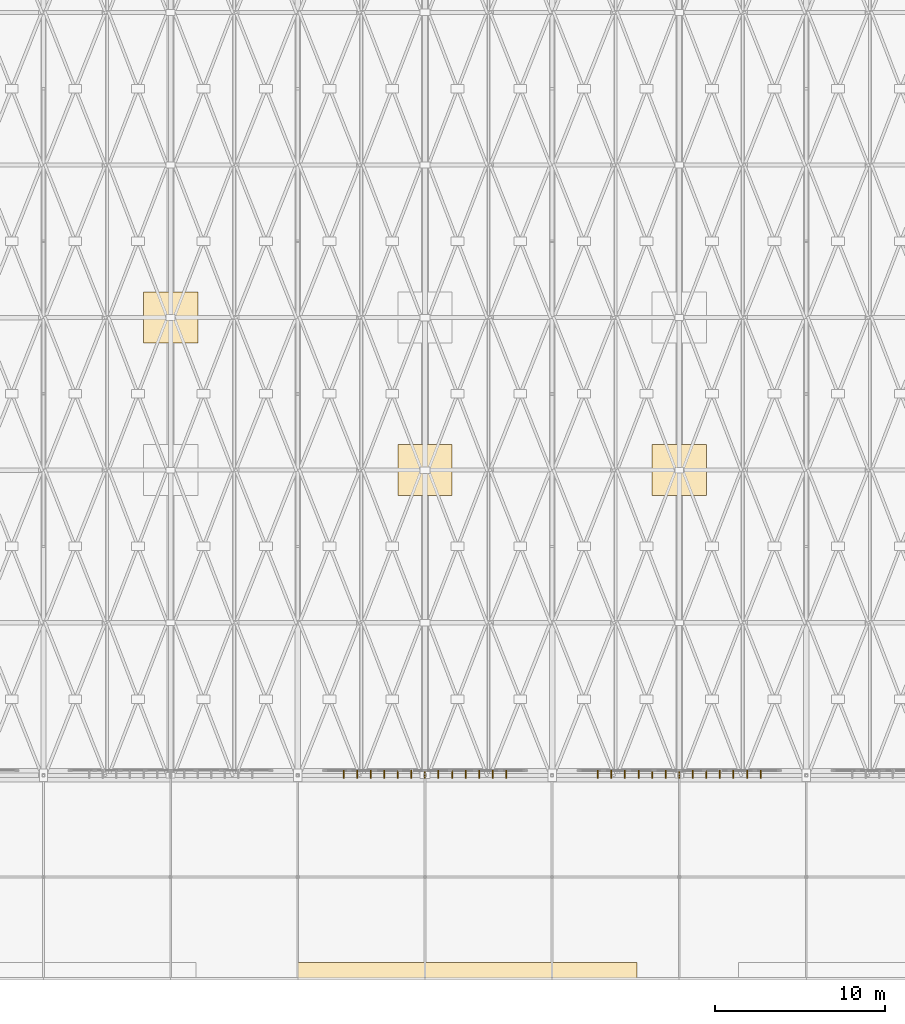
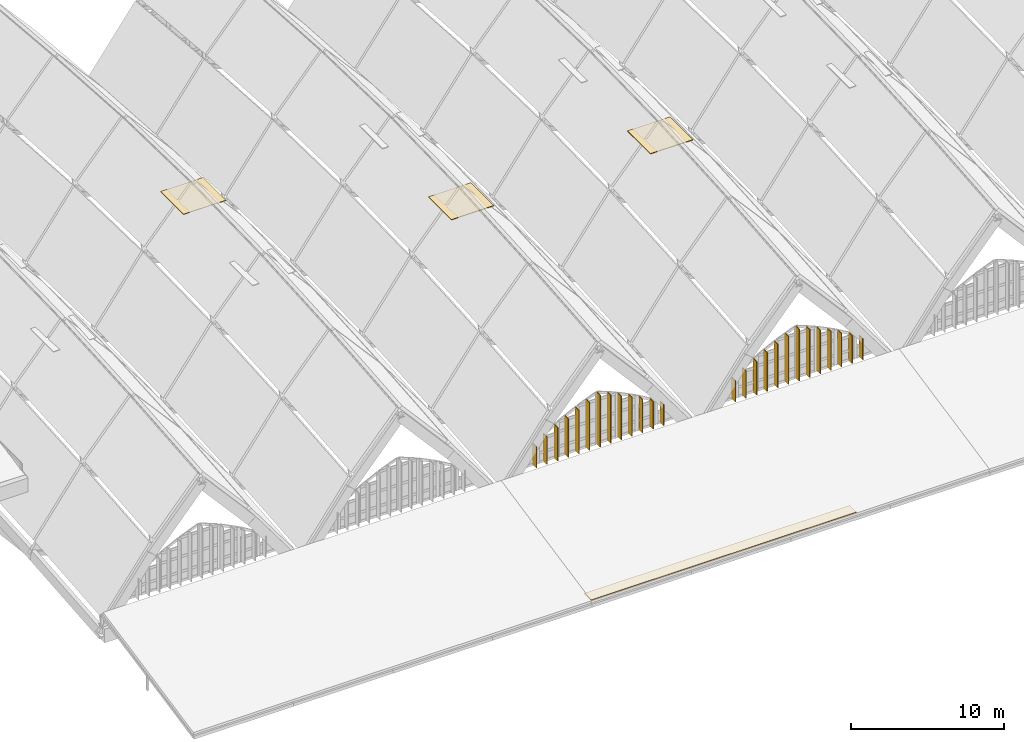
# One storey, part 86 of 93: 26 shading devices, 4 coverings.
"""IFC4 building model written with IfcOpenShell, lengths in metres."""

from ifc_helpers import new_model, si_unit, direction, frame, origin, origin_2d, place, context, subcontext, project, spatial, polyline, rectangle, outline, extrude, material, layer, layer_set, material_profile, profile_set, type_object, element, save


model = new_model("IFC4")

# Units and contexts
model_context = context("Model", 3, precision=1e-05, world=origin(), true_north=direction((0.0, 1.0)))
body_context = subcontext(model_context, "Body", "Model", "MODEL_VIEW")
ifc_project = project(units=[si_unit("LENGTHUNIT", "METRE"), si_unit("AREAUNIT", "SQUARE_METRE"), si_unit("VOLUMEUNIT", "CUBIC_METRE"), si_unit("PLANEANGLEUNIT", "RADIAN"), si_unit("MASSUNIT", "GRAM", prefix="KILO")], contexts=[model_context])

# Site, building, storey
site_placement = place(None, origin())
site = spatial("IfcSite", under=ifc_project, at=site_placement, CompositionType="ELEMENT")
building_placement = place(site_placement, origin())
building = spatial("IfcBuilding", under=site, at=building_placement, Name="Vourika Railside Aquatics Centre", CompositionType="ELEMENT")
storey_placement = place(building_placement, frame((0.0, 0.0, 21.89990234375)))
storey = spatial("IfcBuildingStorey", under=building, at=storey_placement, Name="Roof", CompositionType="ELEMENT", Elevation=21.89990234375)

# Coverings
ifc_material_1 = material(Name="Anodized aluminium", Category="aluminium")
ifc_layer_1 = layer(ifc_material_1, 0.0400390625, Name="COV-ROOF-SEAM40")
ifc_layer_set_1 = layer_set([ifc_layer_1], Name="Anodized aluminium")
covering_type_1 = type_object("IfcCoveringType", Name="COV-ROOF-SEAM40", PredefinedType="ROOFING", material=ifc_layer_set_1)
covering_1_placement = place(storey_placement, frame((0.0, 0.0, -12.369873046875)))
element("IfcCovering", 1, at=covering_1_placement, inside=storey, type_object=covering_type_1, Name="Monsoon Eave Gutter Flashing 2", PredefinedType="ROOFING", context=body_context, shape_type="SweptSolid", body=[
    extrude(outline(polyline([(66.0, 0.050048828125), (86.0, 0.050048828125), (86.0, 0.949951171875), (66.0, 0.949951171875), (66.0, 0.050048828125)])), origin(), (0.0, 0.0, 1.0), 0.0400390625),
])
ifc_material_2 = material(Name="Glulam GL28h", Category="wood")
ifc_layer_2 = layer(ifc_material_2, 0.034912109375, Name="COV-SOFFIT-TIM35")
ifc_layer_set_2 = layer_set([ifc_layer_2], Name="Glulam GL28h")
covering_type_2 = type_object("IfcCoveringType", Name="COV-SOFFIT-TIM35", PredefinedType="CEILING", material=ifc_layer_set_2)
covering_2_placement = place(storey_placement, frame((0.0, 0.0, -1.135009765625)))
element("IfcCovering", 2, at=covering_2_placement, inside=storey, type_object=covering_type_2, Name="Perforated Acoustic Timber Soffit Liner Bay 2-2", PredefinedType="CEILING", context=body_context, shape_type="SweptSolid", body=[
    extrude(outline(polyline([(56.89990234375, 37.5), (60.10009765625, 37.5), (60.10009765625, 40.5), (56.89990234375, 40.5), (56.89990234375, 37.5)])), origin(), (0.0, 0.0, 1.0), 0.037109375),
])
ifc_layer_3 = layer(ifc_material_2, 0.050048828125, Name="COV-SOFFIT-TIM50")
ifc_layer_set_3 = layer_set([ifc_layer_3], Name="Glulam GL28h")
covering_type_3 = type_object("IfcCoveringType", Name="COV-SOFFIT-TIM50", PredefinedType="CEILING", material=ifc_layer_set_3)
covering_3_placement = place(storey_placement, frame((0.0, 0.0, -1.3642578125)))
element("IfcCovering", 3, at=covering_3_placement, inside=storey, type_object=covering_type_3, Name="Perforated Acoustic Timber Soffit Liner Bay 3-1", PredefinedType="CEILING", context=body_context, shape_type="SweptSolid", body=[
    extrude(outline(polyline([(71.89990234375, 28.5), (75.10009765625, 28.5), (75.10009765625, 31.5), (71.89990234375, 31.5), (71.89990234375, 28.5)])), origin(), (0.0, 0.0, 1.0), 0.052001953125),
])
covering_4_placement = place(storey_placement, frame((0.0, 0.0, -1.3642578125)))
element("IfcCovering", 4, at=covering_4_placement, inside=storey, type_object=covering_type_3, Name="Perforated Acoustic Timber Soffit Liner Bay 4-1", PredefinedType="CEILING", context=body_context, shape_type="SweptSolid", body=[
    extrude(outline(polyline([(86.89990234375, 28.5), (90.10009765625, 28.5), (90.10009765625, 31.5), (86.89990234375, 31.5), (86.89990234375, 28.5)])), origin(), (0.0, 0.0, 1.0), 0.052001953125),
])

# Shading devices
ifc_material_3 = material(Name="Bronze-anodized extruded aluminium", Category="aluminium")
ifc_material_profile_1 = material_profile(ifc_material_3, rectangle(XDim=0.06005859375, YDim=0.47998046875, at=origin_2d()), Name="ALU-FIN 60x480")
ifc_profile_set_1 = profile_set([ifc_material_profile_1], Name="Bronze-anodized extruded aluminium")
shading_device_type_1 = type_object("IfcShadingDeviceType", Name="SHD-FIN-F48A", PredefinedType="USERDEFINED", material=ifc_profile_set_1)
shading_device_1_placement = place(storey_placement, frame((68.699951171875, 12.06494140625, -9.8798828125), z_axis=(0.0, 0.0, 1.0), x_axis=(-1.0, 0.0, 0.0)))
element("IfcShadingDevice", 5, at=shading_device_1_placement, inside=storey, type_object=shading_device_type_1, Name="Vertical Solar Fin VSF-0066", ObjectType="FIN", PredefinedType="USERDEFINED", context=body_context, shape_type="SweptSolid", body=[
    extrude(rectangle(XDim=0.06005859375, YDim=0.47998046875, at=origin_2d()), origin(), (0.0, 0.0, 1.0), 1.68603515625),
])
shading_device_2_placement = place(storey_placement, frame((69.5, 12.06494140625, -9.8798828125), z_axis=(0.0, 0.0, 1.0), x_axis=(-1.0, 0.0, 0.0)))
element("IfcShadingDevice", 6, at=shading_device_2_placement, inside=storey, type_object=shading_device_type_1, Name="Vertical Solar Fin VSF-0067", ObjectType="FIN", PredefinedType="USERDEFINED", context=body_context, shape_type="SweptSolid", body=[
    extrude(rectangle(XDim=0.06005859375, YDim=0.47998046875, at=origin_2d()), origin(), (0.0, 0.0, 1.0), 2.196044921875),
])
shading_device_3_placement = place(storey_placement, frame((70.300048828125, 12.06494140625, -9.8798828125), z_axis=(0.0, 0.0, 1.0), x_axis=(-1.0, 0.0, 0.0)))
element("IfcShadingDevice", 7, at=shading_device_3_placement, inside=storey, type_object=shading_device_type_1, Name="Vertical Solar Fin VSF-0068", ObjectType="FIN", PredefinedType="USERDEFINED", context=body_context, shape_type="SweptSolid", body=[
    extrude(rectangle(XDim=0.06005859375, YDim=0.47998046875, at=origin_2d()), origin(), (0.0, 0.0, 1.0), 2.6650390625),
])
shading_device_4_placement = place(storey_placement, frame((71.10009765625, 12.06494140625, -9.8798828125), z_axis=(0.0, 0.0, 1.0), x_axis=(-1.0, 0.0, 0.0)))
element("IfcShadingDevice", 8, at=shading_device_4_placement, inside=storey, type_object=shading_device_type_1, Name="Vertical Solar Fin VSF-0069", ObjectType="FIN", PredefinedType="USERDEFINED", context=body_context, shape_type="SweptSolid", body=[
    extrude(rectangle(XDim=0.06005859375, YDim=0.47998046875, at=origin_2d()), origin(), (0.0, 0.0, 1.0), 3.093017578125),
])
shading_device_5_placement = place(storey_placement, frame((71.89990234375, 12.06494140625, -9.8798828125), z_axis=(0.0, 0.0, 1.0), x_axis=(-1.0, 0.0, 0.0)))
element("IfcShadingDevice", 9, at=shading_device_5_placement, inside=storey, type_object=shading_device_type_1, Name="Vertical Solar Fin VSF-0070", ObjectType="FIN", PredefinedType="USERDEFINED", context=body_context, shape_type="SweptSolid", body=[
    extrude(rectangle(XDim=0.06005859375, YDim=0.47998046875, at=origin_2d()), origin(), (0.0, 0.0, 1.0), 3.47998046875),
])
for number, where, z_axis, x_axis, name in (
    (10, (72.699951171875, 12.06494140625, -9.8798828125), (0.0, 0.0, 1.0), (-1.0, 0.0, 0.0), "Vertical Solar Fin VSF-0071"),
    (11, (74.300048828125, 12.06494140625, -9.8798828125), (0.0, 0.0, 1.0), (-1.0, 0.0, 0.0), "Vertical Solar Fin VSF-0073"),
):
    element("IfcShadingDevice", number, at=place(storey_placement, frame(where, z_axis=z_axis, x_axis=x_axis)), inside=storey, type_object=shading_device_type_1, Name=name, ObjectType="FIN", PredefinedType="USERDEFINED", context=body_context, shape_type="SweptSolid", body=[
        extrude(rectangle(XDim=0.06005859375, YDim=0.47998046875, at=origin_2d()), origin(), (0.0, 0.0, 1.0), 3.824951171875),
    ])
shading_device_6_placement = place(storey_placement, frame((75.10009765625, 12.06494140625, -9.8798828125), z_axis=(0.0, 0.0, 1.0), x_axis=(-1.0, 0.0, 0.0)))
element("IfcShadingDevice", 12, at=shading_device_6_placement, inside=storey, type_object=shading_device_type_1, Name="Vertical Solar Fin VSF-0074", ObjectType="FIN", PredefinedType="USERDEFINED", context=body_context, shape_type="SweptSolid", body=[
    extrude(rectangle(XDim=0.06005859375, YDim=0.47998046875, at=origin_2d()), origin(), (0.0, 0.0, 1.0), 3.47998046875),
])
shading_device_7_placement = place(storey_placement, frame((75.89990234375, 12.06494140625, -9.8798828125), z_axis=(0.0, 0.0, 1.0), x_axis=(-1.0, 0.0, 0.0)))
element("IfcShadingDevice", 13, at=shading_device_7_placement, inside=storey, type_object=shading_device_type_1, Name="Vertical Solar Fin VSF-0075", ObjectType="FIN", PredefinedType="USERDEFINED", context=body_context, shape_type="SweptSolid", body=[
    extrude(rectangle(XDim=0.06005859375, YDim=0.47998046875, at=origin_2d()), origin(), (0.0, 0.0, 1.0), 3.093017578125),
])
shading_device_8_placement = place(storey_placement, frame((76.699951171875, 12.06494140625, -9.8798828125), z_axis=(0.0, 0.0, 1.0), x_axis=(-1.0, 0.0, 0.0)))
element("IfcShadingDevice", 14, at=shading_device_8_placement, inside=storey, type_object=shading_device_type_1, Name="Vertical Solar Fin VSF-0076", ObjectType="FIN", PredefinedType="USERDEFINED", context=body_context, shape_type="SweptSolid", body=[
    extrude(rectangle(XDim=0.06005859375, YDim=0.47998046875, at=origin_2d()), origin(), (0.0, 0.0, 1.0), 2.6650390625),
])
shading_device_9_placement = place(storey_placement, frame((77.5, 12.06494140625, -9.8798828125), z_axis=(0.0, 0.0, 1.0), x_axis=(-1.0, 0.0, 0.0)))
element("IfcShadingDevice", 15, at=shading_device_9_placement, inside=storey, type_object=shading_device_type_1, Name="Vertical Solar Fin VSF-0077", ObjectType="FIN", PredefinedType="USERDEFINED", context=body_context, shape_type="SweptSolid", body=[
    extrude(rectangle(XDim=0.06005859375, YDim=0.47998046875, at=origin_2d()), origin(), (0.0, 0.0, 1.0), 2.196044921875),
])
for number, where, z_axis, x_axis, name in (
    (16, (78.300048828125, 12.06494140625, -9.8798828125), (0.0, 0.0, 1.0), (-1.0, 0.0, 0.0), "Vertical Solar Fin VSF-0078"),
    (17, (83.699951171875, 12.06494140625, -9.8798828125), (0.0, 0.0, 1.0), (-1.0, 0.0, 0.0), "Vertical Solar Fin VSF-0092"),
):
    element("IfcShadingDevice", number, at=place(storey_placement, frame(where, z_axis=z_axis, x_axis=x_axis)), inside=storey, type_object=shading_device_type_1, Name=name, ObjectType="FIN", PredefinedType="USERDEFINED", context=body_context, shape_type="SweptSolid", body=[
        extrude(rectangle(XDim=0.06005859375, YDim=0.47998046875, at=origin_2d()), origin(), (0.0, 0.0, 1.0), 1.68603515625),
    ])
shading_device_10_placement = place(storey_placement, frame((84.5, 12.06494140625, -9.8798828125), z_axis=(0.0, 0.0, 1.0), x_axis=(-1.0, 0.0, 0.0)))
element("IfcShadingDevice", 18, at=shading_device_10_placement, inside=storey, type_object=shading_device_type_1, Name="Vertical Solar Fin VSF-0093", ObjectType="FIN", PredefinedType="USERDEFINED", context=body_context, shape_type="SweptSolid", body=[
    extrude(rectangle(XDim=0.06005859375, YDim=0.47998046875, at=origin_2d()), origin(), (0.0, 0.0, 1.0), 2.196044921875),
])
shading_device_11_placement = place(storey_placement, frame((85.300048828125, 12.06494140625, -9.8798828125), z_axis=(0.0, 0.0, 1.0), x_axis=(-1.0, 0.0, 0.0)))
element("IfcShadingDevice", 19, at=shading_device_11_placement, inside=storey, type_object=shading_device_type_1, Name="Vertical Solar Fin VSF-0094", ObjectType="FIN", PredefinedType="USERDEFINED", context=body_context, shape_type="SweptSolid", body=[
    extrude(rectangle(XDim=0.06005859375, YDim=0.47998046875, at=origin_2d()), origin(), (0.0, 0.0, 1.0), 2.6650390625),
])
shading_device_12_placement = place(storey_placement, frame((86.10009765625, 12.06494140625, -9.8798828125), z_axis=(0.0, 0.0, 1.0), x_axis=(-1.0, 0.0, 0.0)))
element("IfcShadingDevice", 20, at=shading_device_12_placement, inside=storey, type_object=shading_device_type_1, Name="Vertical Solar Fin VSF-0095", ObjectType="FIN", PredefinedType="USERDEFINED", context=body_context, shape_type="SweptSolid", body=[
    extrude(rectangle(XDim=0.06005859375, YDim=0.47998046875, at=origin_2d()), origin(), (0.0, 0.0, 1.0), 3.093017578125),
])
shading_device_13_placement = place(storey_placement, frame((86.89990234375, 12.06494140625, -9.8798828125), z_axis=(0.0, 0.0, 1.0), x_axis=(-1.0, 0.0, 0.0)))
element("IfcShadingDevice", 21, at=shading_device_13_placement, inside=storey, type_object=shading_device_type_1, Name="Vertical Solar Fin VSF-0096", ObjectType="FIN", PredefinedType="USERDEFINED", context=body_context, shape_type="SweptSolid", body=[
    extrude(rectangle(XDim=0.06005859375, YDim=0.47998046875, at=origin_2d()), origin(), (0.0, 0.0, 1.0), 3.47998046875),
])
for number, where, z_axis, x_axis, name in (
    (22, (87.699951171875, 12.06494140625, -9.8798828125), (0.0, 0.0, 1.0), (-1.0, 0.0, 0.0), "Vertical Solar Fin VSF-0097"),
    (23, (89.300048828125, 12.06494140625, -9.8798828125), (0.0, 0.0, 1.0), (-1.0, 0.0, 0.0), "Vertical Solar Fin VSF-0099"),
):
    element("IfcShadingDevice", number, at=place(storey_placement, frame(where, z_axis=z_axis, x_axis=x_axis)), inside=storey, type_object=shading_device_type_1, Name=name, ObjectType="FIN", PredefinedType="USERDEFINED", context=body_context, shape_type="SweptSolid", body=[
        extrude(rectangle(XDim=0.06005859375, YDim=0.47998046875, at=origin_2d()), origin(), (0.0, 0.0, 1.0), 3.824951171875),
    ])
shading_device_14_placement = place(storey_placement, frame((90.10009765625, 12.06494140625, -9.8798828125), z_axis=(0.0, 0.0, 1.0), x_axis=(-1.0, 0.0, 0.0)))
element("IfcShadingDevice", 24, at=shading_device_14_placement, inside=storey, type_object=shading_device_type_1, Name="Vertical Solar Fin VSF-0100", ObjectType="FIN", PredefinedType="USERDEFINED", context=body_context, shape_type="SweptSolid", body=[
    extrude(rectangle(XDim=0.06005859375, YDim=0.47998046875, at=origin_2d()), origin(), (0.0, 0.0, 1.0), 3.47998046875),
])
shading_device_15_placement = place(storey_placement, frame((90.89990234375, 12.06494140625, -9.8798828125), z_axis=(0.0, 0.0, 1.0), x_axis=(-1.0, 0.0, 0.0)))
element("IfcShadingDevice", 25, at=shading_device_15_placement, inside=storey, type_object=shading_device_type_1, Name="Vertical Solar Fin VSF-0101", ObjectType="FIN", PredefinedType="USERDEFINED", context=body_context, shape_type="SweptSolid", body=[
    extrude(rectangle(XDim=0.06005859375, YDim=0.47998046875, at=origin_2d()), origin(), (0.0, 0.0, 1.0), 3.093017578125),
])
shading_device_16_placement = place(storey_placement, frame((91.699951171875, 12.06494140625, -9.8798828125), z_axis=(0.0, 0.0, 1.0), x_axis=(-1.0, 0.0, 0.0)))
element("IfcShadingDevice", 26, at=shading_device_16_placement, inside=storey, type_object=shading_device_type_1, Name="Vertical Solar Fin VSF-0102", ObjectType="FIN", PredefinedType="USERDEFINED", context=body_context, shape_type="SweptSolid", body=[
    extrude(rectangle(XDim=0.06005859375, YDim=0.47998046875, at=origin_2d()), origin(), (0.0, 0.0, 1.0), 2.6650390625),
])
shading_device_17_placement = place(storey_placement, frame((92.5, 12.06494140625, -9.8798828125), z_axis=(0.0, 0.0, 1.0), x_axis=(-1.0, 0.0, 0.0)))
element("IfcShadingDevice", 27, at=shading_device_17_placement, inside=storey, type_object=shading_device_type_1, Name="Vertical Solar Fin VSF-0103", ObjectType="FIN", PredefinedType="USERDEFINED", context=body_context, shape_type="SweptSolid", body=[
    extrude(rectangle(XDim=0.06005859375, YDim=0.47998046875, at=origin_2d()), origin(), (0.0, 0.0, 1.0), 2.196044921875),
])
shading_device_18_placement = place(storey_placement, frame((93.300048828125, 12.06494140625, -9.8798828125), z_axis=(0.0, 0.0, 1.0), x_axis=(-1.0, 0.0, 0.0)))
element("IfcShadingDevice", 28, at=shading_device_18_placement, inside=storey, type_object=shading_device_type_1, Name="Vertical Solar Fin VSF-0104", ObjectType="FIN", PredefinedType="USERDEFINED", context=body_context, shape_type="SweptSolid", body=[
    extrude(rectangle(XDim=0.06005859375, YDim=0.47998046875, at=origin_2d()), origin(), (0.0, 0.0, 1.0), 1.68603515625),
])
ifc_material_profile_2 = material_profile(ifc_material_3, rectangle(XDim=0.06005859375, YDim=0.47998046875, at=origin_2d()), Name="ALU-FIN 60x480")
ifc_profile_set_2 = profile_set([ifc_material_profile_2], Name="Bronze-anodized extruded aluminium")
shading_device_type_2 = type_object("IfcShadingDeviceType", Name="SHD-FIN-F48B", PredefinedType="USERDEFINED", material=ifc_profile_set_2)
for number, where, z_axis, x_axis, name in (
    (29, (73.5, 12.06494140625, -9.8798828125), (0.0, 0.0, 1.0), (-1.0, 0.0, 0.0), "Vertical Solar Fin VSF-0072"),
    (30, (88.5, 12.06494140625, -9.8798828125), (0.0, 0.0, 1.0), (-1.0, 0.0, 0.0), "Vertical Solar Fin VSF-0098"),
):
    element("IfcShadingDevice", number, at=place(storey_placement, frame(where, z_axis=z_axis, x_axis=x_axis)), inside=storey, type_object=shading_device_type_2, Name=name, ObjectType="FIN", PredefinedType="USERDEFINED", context=body_context, shape_type="SweptSolid", body=[
        extrude(rectangle(XDim=0.06005859375, YDim=0.47998046875, at=origin_2d()), origin(), (0.0, 0.0, 1.0), 4.1298828125),
    ])

save(model, "model.ifc")
